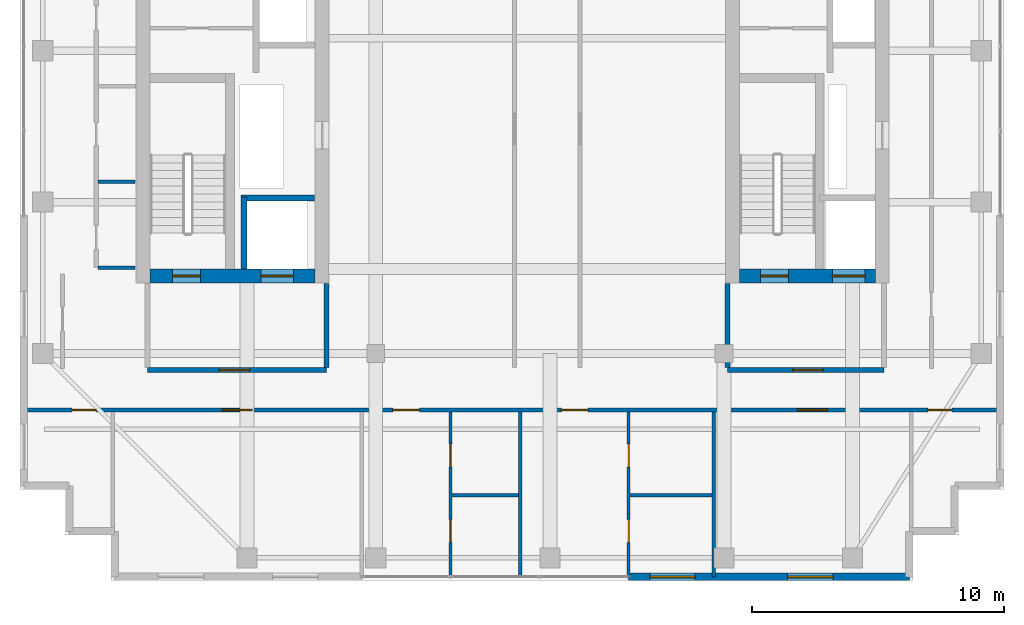
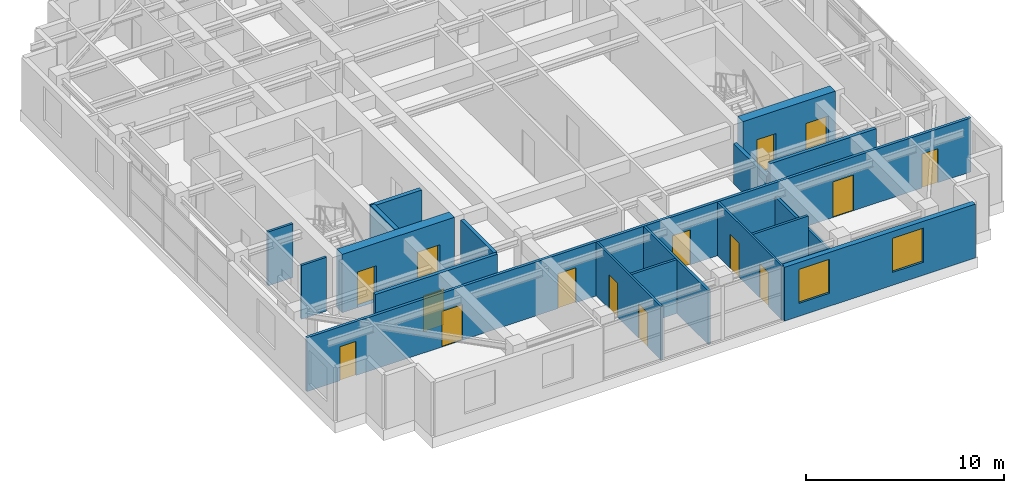
# One storey, part 17 of 21: 18 walls, 16 doors, 2 windows, 18 openings.
"""IFC4 building model written with IfcOpenShell, lengths in metres."""

from ifc_helpers import new_model, si_unit, direction, frame, frame_2d, origin, place, context, subcontext, project, spatial, rectangle, extrude, source, transform, mapped, material, layer, layer_set, type_object, element, fill, save


model = new_model("IFC4")

# Units and contexts
model_context = context("Model", 3, precision=1e-05, world=origin(), true_north=direction((0.0, 1.0)))
body_context = subcontext(model_context, "Body", "Model", "MODEL_VIEW")
ifc_project = project(units=[si_unit("LENGTHUNIT", "METRE"), si_unit("AREAUNIT", "SQUARE_METRE"), si_unit("VOLUMEUNIT", "CUBIC_METRE"), si_unit("PLANEANGLEUNIT", "RADIAN"), si_unit("MASSUNIT", "GRAM", prefix="KILO")], contexts=[model_context])

# Site, building, storey
site_placement = place(None, origin())
site = spatial("IfcSite", under=ifc_project, at=site_placement, CompositionType="ELEMENT")
building_placement = place(site_placement, origin())
building = spatial("IfcBuilding", under=site, at=building_placement, Name="Khoralis Quay Care Tower", CompositionType="ELEMENT")
storey_placement = place(building_placement, frame((0.0, 0.0, 267.300048828125)))
storey = spatial("IfcBuildingStorey", under=building, at=storey_placement, Name="L70", CompositionType="ELEMENT", Elevation=267.300048828125)

# Wall, opening, door
ifc_material_1 = material(Name="Gypsum plasterboard on acoustic metal stud")
ifc_layer_1 = layer(ifc_material_1, 0.199951171875)
ifc_layer_set_1 = layer_set([ifc_layer_1], Name="Gypsum plasterboard on acoustic metal stud")
wall_type_1 = type_object("IfcWallType", Name="WL-COMP-200", PredefinedType="PARTITIONING", material=ifc_layer_set_1)
wall_1_placement = place(storey_placement, frame((8.050048828125, 11.35009765625, 0.0), z_axis=(0.0, 0.0, 1.0), x_axis=(1.0, 0.0, 0.0)))
wall_1 = element("IfcWall", 1, at=wall_1_placement, inside=storey, type_object=wall_type_1, Name="L70 West Firefighting Lobby South Wall", PredefinedType="PARTITIONING", context=body_context, shape_type="SweptSolid", body=[
    extrude(rectangle(XDim=7.099853515625, YDim=0.199951171875, at=frame_2d((3.5498046875, 0.0))), origin(), (0.0, 0.0, 1.0), 3.320068359375),
])
opening_1_placement = place(wall_1_placement, frame((2.846435546875, 0.0, 0.0)))
opening_1 = element("IfcOpeningElement", 2, at=opening_1_placement, cuts=wall_1, Name="Opening FD1", PredefinedType="OPENING", context=body_context, shape_type="SweptSolid", body=[
    extrude(rectangle(XDim=1.199951171875, YDim=2.199951171875, at=frame_2d((0.60009765625, 1.10009765625))), frame((0.0, 0.10986328125, 0.0), z_axis=(0.0, -1.0, 0.0), x_axis=(1.0, 0.0, 0.0)), (0.0, 0.0, 1.0), 0.219970703125),
])
ifc_material_2 = material(Name="Fire-rated painted steel", Category="steel")
door_type_1 = type_object("IfcDoorType", Name="DR-FFL-1200X2200", OperationType="NOTDEFINED", PredefinedType="DOOR", material=ifc_material_2)
shared_shape_1 = source(origin(), body_context, "Body", "SweptSolid", [
    extrude(rectangle(XDim=1.199951171875, YDim=2.199951171875, at=frame_2d((0.60009765625, 1.10009765625))), frame((0.0, 0.02490234375, 0.0), z_axis=(0.0, -1.0, 0.0), x_axis=(1.0, 0.0, 0.0)), (0.0, 0.0, 1.0), 0.050048828125),
])
door_1_placement = place(opening_1_placement, origin())
door_1 = element("IfcDoor", 3, at=door_1_placement, inside=storey, type_object=door_type_1, Name="L70 West Firefighting Lobby Fire Door", OperationType="SINGLE_SWING_RIGHT", OverallHeight=2.199951171875, OverallWidth=1.199951171875, PredefinedType="DOOR", context=body_context, shape_type="MappedRepresentation", body=[
    mapped(shared_shape_1, transform((0.0, 0.0, 0.0), scale=1.0)),
])
fill(opening_1, door_1)

# Wall
wall_2_placement = place(storey_placement, frame((15.14990234375, 11.445068359375, 0.0), z_axis=(0.0, 0.0, 1.0), x_axis=(0.0, 1.0, 0.0)))
element("IfcWall", 4, at=wall_2_placement, inside=storey, type_object=wall_type_1, Name="L70 West Firefighting Lobby East Wall", PredefinedType="PARTITIONING", context=body_context, shape_type="SweptSolid", body=[
    extrude(rectangle(XDim=3.3349609375, YDim=0.199951171875, at=frame_2d((1.66748046875, 0.0))), origin(), (0.0, 0.0, 1.0), 3.320068359375),
])

# Wall, opening, door
wall_3_placement = place(storey_placement, frame((31.050048828125, 11.35009765625, 0.0), z_axis=(0.0, 0.0, 1.0), x_axis=(1.0, 0.0, 0.0)))
wall_3 = element("IfcWall", 5, at=wall_3_placement, inside=storey, type_object=wall_type_1, Name="L70 East Firefighting Lobby South Wall", PredefinedType="PARTITIONING", context=body_context, shape_type="SweptSolid", body=[
    extrude(rectangle(XDim=6.199951171875, YDim=0.199951171875, at=frame_2d((3.10009765625, 0.0))), origin(), (0.0, 0.0, 1.0), 3.320068359375),
])
opening_2_placement = place(wall_3_placement, frame((2.585693359375, 0.0, 0.0)))
opening_2 = element("IfcOpeningElement", 6, at=opening_2_placement, cuts=wall_3, Name="Opening FD1", PredefinedType="OPENING", context=body_context, shape_type="SweptSolid", body=[
    extrude(rectangle(XDim=1.199951171875, YDim=2.199951171875, at=frame_2d((0.60009765625, 1.10009765625))), frame((0.0, 0.10986328125, 0.0), z_axis=(0.0, -1.0, 0.0), x_axis=(1.0, 0.0, 0.0)), (0.0, 0.0, 1.0), 0.219970703125),
])
door_2_placement = place(opening_2_placement, origin())
door_2 = element("IfcDoor", 7, at=door_2_placement, inside=storey, type_object=door_type_1, Name="L70 East Firefighting Lobby Fire Door", OperationType="SINGLE_SWING_LEFT", OverallHeight=2.199951171875, OverallWidth=1.199951171875, PredefinedType="DOOR", context=body_context, shape_type="MappedRepresentation", body=[
    mapped(shared_shape_1, transform((0.0, 0.0, 0.0), scale=1.0)),
])
fill(opening_2, door_2)

# Wall
wall_4_placement = place(storey_placement, frame((31.050048828125, 11.445068359375, 0.0), z_axis=(0.0, 0.0, 1.0), x_axis=(0.0, 1.0, 0.0)))
element("IfcWall", 8, at=wall_4_placement, inside=storey, type_object=wall_type_1, Name="L70 East Firefighting Lobby West Wall", PredefinedType="PARTITIONING", context=body_context, shape_type="SweptSolid", body=[
    extrude(rectangle(XDim=3.3349609375, YDim=0.199951171875, at=frame_2d((1.66748046875, 0.0))), origin(), (0.0, 0.0, 1.0), 2.469970703125),
])

# Wall, openings, doors
ifc_material_3 = material(Name="Concrete C65/80", Category="concrete")
ifc_layer_2 = layer(ifc_material_3, 0.550048828125)
ifc_layer_set_2 = layer_set([ifc_layer_2], Name="Concrete C65/80")
wall_type_2 = type_object("IfcWallType", Name="WL-CORE-550", PredefinedType="SHEAR", material=ifc_layer_set_2)
wall_5_placement = place(storey_placement, frame((8.14990234375, 15.074951171875, 0.0), z_axis=(0.0, 0.0, 1.0), x_axis=(1.0, 0.0, 0.0)))
wall_5 = element("IfcWall", 9, at=wall_5_placement, inside=storey, type_object=wall_type_2, Name="L70 WCORE South Shear Wall", PredefinedType="SHEAR", context=body_context, shape_type="SweptSolid", body=[
    extrude(rectangle(XDim=6.550048828125, YDim=0.550048828125, at=frame_2d((3.27490234375, 0.0))), origin(), (0.0, 0.0, 1.0), 3.599853515625),
])
opening_3_placement = place(wall_5_placement, frame((0.89990234375, 0.0, 0.0)))
opening_3 = element("IfcOpeningElement", 10, at=opening_3_placement, cuts=wall_5, Name="Opening SD1", PredefinedType="OPENING", context=body_context, shape_type="SweptSolid", body=[
    extrude(rectangle(XDim=1.10009765625, YDim=2.199951171875, at=frame_2d((0.550048828125, 1.10009765625))), frame((0.0, 0.28515625, 0.0), z_axis=(0.0, -1.0, 0.0), x_axis=(1.0, 0.0, 0.0)), (0.0, 0.0, 1.0), 0.570068359375),
])
opening_4_placement = place(wall_5_placement, frame((4.39990234375, 0.0, 0.0)))
opening_4 = element("IfcOpeningElement", 11, at=opening_4_placement, cuts=wall_5, Name="Opening LD2", PredefinedType="OPENING", context=body_context, shape_type="SweptSolid", body=[
    extrude(rectangle(XDim=1.300048828125, YDim=2.199951171875, at=frame_2d((0.64990234375, 1.10009765625))), frame((0.0, 0.28515625, 0.0), z_axis=(0.0, -1.0, 0.0), x_axis=(1.0, 0.0, 0.0)), (0.0, 0.0, 1.0), 0.570068359375),
])
door_type_2 = type_object("IfcDoorType", Name="DR-STAIR-1100X2200", OperationType="NOTDEFINED", PredefinedType="DOOR", material=ifc_material_2)
shared_shape_2 = source(origin(), body_context, "Body", "SweptSolid", [
    extrude(rectangle(XDim=1.10009765625, YDim=2.199951171875, at=frame_2d((0.550048828125, 1.10009765625))), frame((0.0, 0.02490234375, 0.0), z_axis=(0.0, -1.0, 0.0), x_axis=(1.0, 0.0, 0.0)), (0.0, 0.0, 1.0), 0.050048828125),
])
door_3_placement = place(opening_3_placement, origin())
door_3 = element("IfcDoor", 12, at=door_3_placement, inside=storey, type_object=door_type_2, Name="L70 Stair ST-T1 Fire Door", OperationType="SINGLE_SWING_RIGHT", OverallHeight=2.199951171875, OverallWidth=1.10009765625, PredefinedType="DOOR", context=body_context, shape_type="MappedRepresentation", body=[
    mapped(shared_shape_2, transform((0.0, 0.0, 0.0), scale=1.0)),
])
fill(opening_3, door_3)
ifc_material_4 = material(Name="Brushed stainless steel", Category="steel")
door_type_3 = type_object("IfcDoorType", Name="DR-LIFT-1300X2200", OperationType="SLIDING_TO_RIGHT", PredefinedType="DOOR", material=ifc_material_4)
shared_shape_3 = source(origin(), body_context, "Body", "SweptSolid", [
    extrude(rectangle(XDim=1.300048828125, YDim=2.199951171875, at=frame_2d((0.64990234375, 1.10009765625))), frame((0.0, 0.02490234375, 0.0), z_axis=(0.0, -1.0, 0.0), x_axis=(1.0, 0.0, 0.0)), (0.0, 0.0, 1.0), 0.050048828125),
])
door_4_placement = place(opening_4_placement, origin())
door_4 = element("IfcDoor", 13, at=door_4_placement, inside=storey, type_object=door_type_3, Name="L70 Firefighting Lift FFL-1 Landing Door", OperationType="SLIDING_TO_RIGHT", OverallHeight=2.199951171875, OverallWidth=1.300048828125, PredefinedType="DOOR", context=body_context, shape_type="MappedRepresentation", body=[
    mapped(shared_shape_3, transform((0.0, 0.0, 0.0), scale=1.0)),
])
fill(opening_4, door_4)

wall_6_placement = place(storey_placement, frame((31.52001953125, 15.074951171875, 0.0), z_axis=(0.0, 0.0, 1.0), x_axis=(1.0, 0.0, 0.0)))
wall_6 = element("IfcWall", 14, at=wall_6_placement, inside=storey, type_object=wall_type_2, Name="L70 ECORE South Shear Wall", PredefinedType="SHEAR", context=body_context, shape_type="SweptSolid", body=[
    extrude(rectangle(XDim=5.3798828125, YDim=0.550048828125, at=frame_2d((2.68994140625, 0.0))), origin(), (0.0, 0.0, 1.0), 3.599853515625),
])
opening_5_placement = place(wall_6_placement, frame((0.830078125, 0.0, 0.0)))
opening_5 = element("IfcOpeningElement", 15, at=opening_5_placement, cuts=wall_6, Name="Opening SD1", PredefinedType="OPENING", context=body_context, shape_type="SweptSolid", body=[
    extrude(rectangle(XDim=1.10009765625, YDim=2.199951171875, at=frame_2d((0.550048828125, 1.10009765625))), frame((0.0, 0.28515625, 0.0), z_axis=(0.0, -1.0, 0.0), x_axis=(1.0, 0.0, 0.0)), (0.0, 0.0, 1.0), 0.570068359375),
])
opening_6_placement = place(wall_6_placement, frame((3.679931640625, 0.0, 0.0)))
opening_6 = element("IfcOpeningElement", 16, at=opening_6_placement, cuts=wall_6, Name="Opening LD2", PredefinedType="OPENING", context=body_context, shape_type="SweptSolid", body=[
    extrude(rectangle(XDim=1.300048828125, YDim=2.199951171875, at=frame_2d((0.64990234375, 1.10009765625))), frame((0.0, 0.28515625, 0.0), z_axis=(0.0, -1.0, 0.0), x_axis=(1.0, 0.0, 0.0)), (0.0, 0.0, 1.0), 0.570068359375),
])
door_5_placement = place(opening_5_placement, origin())
door_5 = element("IfcDoor", 17, at=door_5_placement, inside=storey, type_object=door_type_2, Name="L70 Stair ST-T2 Fire Door", OperationType="SINGLE_SWING_LEFT", OverallHeight=2.199951171875, OverallWidth=1.10009765625, PredefinedType="DOOR", context=body_context, shape_type="MappedRepresentation", body=[
    mapped(shared_shape_2, transform((0.0, 0.0, 0.0), scale=1.0)),
])
fill(opening_5, door_5)
door_6_placement = place(opening_6_placement, origin())
door_6 = element("IfcDoor", 18, at=door_6_placement, inside=storey, type_object=door_type_3, Name="L70 Firefighting Lift FFL-2 Landing Door", OperationType="SLIDING_TO_RIGHT", OverallHeight=2.199951171875, OverallWidth=1.300048828125, PredefinedType="DOOR", context=body_context, shape_type="MappedRepresentation", body=[
    mapped(shared_shape_3, transform((0.0, 0.0, 0.0), scale=1.0)),
])
fill(opening_6, door_6)

ifc_layer_3 = layer(ifc_material_1, 0.1650390625)
ifc_layer_set_3 = layer_set([ifc_layer_3], Name="Gypsum plasterboard on acoustic metal stud")
wall_type_3 = type_object("IfcWallType", Name="WL-CORR-165", PredefinedType="PARTITIONING", material=ifc_layer_set_3)
wall_7_placement = place(storey_placement, frame((3.14501953125, 9.760009765625, 0.0), z_axis=(0.0, 0.0, 1.0), x_axis=(1.0, 0.0, 0.0)))
wall_7 = element("IfcWall", 19, at=wall_7_placement, inside=storey, type_object=wall_type_3, Name="L70 South Main Corridor Wall", PredefinedType="PARTITIONING", context=body_context, shape_type="SweptSolid", body=[
    extrude(rectangle(XDim=38.7099609375, YDim=0.1650390625, at=frame_2d((19.35498046875, 0.0))), origin(), (0.0, 0.0, 1.0), 3.320068359375),
])
opening_7_placement = place(wall_7_placement, frame((7.864990234375, 0.0, 0.0)))
opening_7 = element("IfcOpeningElement", 20, at=opening_7_placement, cuts=wall_7, Name="Opening FD1", PredefinedType="OPENING", context=body_context, shape_type="SweptSolid", body=[
    extrude(rectangle(XDim=1.199951171875, YDim=2.199951171875, at=frame_2d((0.60009765625, 1.10009765625))), frame((0.0, 0.092529296875, 0.0), z_axis=(0.0, -1.0, 0.0), x_axis=(1.0, 0.0, 0.0)), (0.0, 0.0, 1.0), 0.18505859375),
])
opening_8_placement = place(wall_7_placement, frame((14.631103515625, 0.0, 0.0)))
opening_8 = element("IfcOpeningElement", 21, at=opening_8_placement, cuts=wall_7, Name="Opening UD1", PredefinedType="OPENING", context=body_context, shape_type="SweptSolid", body=[
    extrude(rectangle(XDim=1.050048828125, YDim=2.14990234375, at=frame_2d((0.52490234375, 1.074951171875))), frame((0.0, 0.092529296875, 0.0), z_axis=(0.0, -1.0, 0.0), x_axis=(1.0, 0.0, 0.0)), (0.0, 0.0, 1.0), 0.18505859375),
])
opening_9_placement = place(wall_7_placement, frame((21.3076171875, 0.0, 0.0)))
opening_9 = element("IfcOpeningElement", 22, at=opening_9_placement, cuts=wall_7, Name="Opening UD1", PredefinedType="OPENING", context=body_context, shape_type="SweptSolid", body=[
    extrude(rectangle(XDim=1.050048828125, YDim=2.14990234375, at=frame_2d((0.52490234375, 1.074951171875))), frame((0.0, 0.092529296875, 0.0), z_axis=(0.0, -1.0, 0.0), x_axis=(1.0, 0.0, 0.0)), (0.0, 0.0, 1.0), 0.18505859375),
])
opening_10_placement = place(wall_7_placement, frame((30.6650390625, 0.0, 0.0)))
opening_10 = element("IfcOpeningElement", 23, at=opening_10_placement, cuts=wall_7, Name="Opening FD1", PredefinedType="OPENING", context=body_context, shape_type="SweptSolid", body=[
    extrude(rectangle(XDim=1.199951171875, YDim=2.199951171875, at=frame_2d((0.60009765625, 1.10009765625))), frame((0.0, 0.092529296875, 0.0), z_axis=(0.0, -1.0, 0.0), x_axis=(1.0, 0.0, 0.0)), (0.0, 0.0, 1.0), 0.18505859375),
])
opening_11_placement = place(wall_7_placement, frame((1.919921875, 0.0, 0.0)))
opening_11 = element("IfcOpeningElement", 24, at=opening_11_placement, cuts=wall_7, Name="Opening ID1", PredefinedType="OPENING", context=body_context, shape_type="SweptSolid", body=[
    extrude(rectangle(XDim=0.949951171875, YDim=2.10009765625, at=frame_2d((0.47509765625, 1.050048828125))), frame((0.0, 0.092529296875, 0.0), z_axis=(0.0, -1.0, 0.0), x_axis=(1.0, 0.0, 0.0)), (0.0, 0.0, 1.0), 0.18505859375),
])
opening_12_placement = place(wall_7_placement, frame((35.840087890625, 0.0, 0.0)))
opening_12 = element("IfcOpeningElement", 25, at=opening_12_placement, cuts=wall_7, Name="Opening ID1", PredefinedType="OPENING", context=body_context, shape_type="SweptSolid", body=[
    extrude(rectangle(XDim=0.949951171875, YDim=2.10009765625, at=frame_2d((0.47509765625, 1.050048828125))), frame((0.0, 0.092529296875, 0.0), z_axis=(0.0, -1.0, 0.0), x_axis=(1.0, 0.0, 0.0)), (0.0, 0.0, 1.0), 0.18505859375),
])
door_7_placement = place(opening_7_placement, frame((1.199951171875, 0.0, 0.0), z_axis=(0.0, 0.0, 1.0), x_axis=(-1.0, 0.0, 0.0)))
door_7 = element("IfcDoor", 26, at=door_7_placement, inside=storey, type_object=door_type_1, Name="L70 Resident Communal Day Lounge Door", OperationType="DOUBLE_DOOR_SINGLE_SWING", OverallHeight=2.199951171875, OverallWidth=1.199951171875, PredefinedType="DOOR", context=body_context, shape_type="MappedRepresentation", body=[
    mapped(shared_shape_1, transform((0.0, 0.0, 0.0), scale=1.0)),
])
fill(opening_7, door_7)
door_8_placement = place(opening_10_placement, frame((1.199951171875, 0.0, 0.0), z_axis=(0.0, 0.0, 1.0), x_axis=(-1.0, 0.0, 0.0)))
door_8 = element("IfcDoor", 27, at=door_8_placement, inside=storey, type_object=door_type_1, Name="L70 Senior Wellness Pharmacy Shop Door", OperationType="DOUBLE_DOOR_SINGLE_SWING", OverallHeight=2.199951171875, OverallWidth=1.199951171875, PredefinedType="DOOR", context=body_context, shape_type="MappedRepresentation", body=[
    mapped(shared_shape_1, transform((0.0, 0.0, 0.0), scale=1.0)),
])
fill(opening_10, door_8)
ifc_material_5 = material(Name="Acoustic hardwood timber", Category="wood")
door_type_4 = type_object("IfcDoorType", Name="DR-ROOM-950X2100", OperationType="NOTDEFINED", PredefinedType="DOOR", material=ifc_material_5)
shared_shape_4 = source(origin(), body_context, "Body", "SweptSolid", [
    extrude(rectangle(XDim=0.949951171875, YDim=2.10009765625, at=frame_2d((0.47509765625, 1.050048828125))), frame((0.0, 0.02490234375, 0.0), z_axis=(0.0, -1.0, 0.0), x_axis=(1.0, 0.0, 0.0)), (0.0, 0.0, 1.0), 0.050048828125),
])
door_9_placement = place(opening_11_placement, frame((0.949951171875, 0.0, 0.0), z_axis=(0.0, 0.0, 1.0), x_axis=(-1.0, 0.0, 0.0)))
door_9 = element("IfcDoor", 28, at=door_9_placement, inside=storey, type_object=door_type_4, Name="L70 SW Corner Door", OperationType="SINGLE_SWING_LEFT", OverallHeight=2.10009765625, OverallWidth=0.949951171875, PredefinedType="DOOR", context=body_context, shape_type="MappedRepresentation", body=[
    mapped(shared_shape_4, transform((0.0, 0.0, 0.0), scale=1.0)),
])
fill(opening_11, door_9)
door_10_placement = place(opening_12_placement, frame((0.949951171875, 0.0, 0.0), z_axis=(0.0, 0.0, 1.0), x_axis=(-1.0, 0.0, 0.0)))
door_10 = element("IfcDoor", 29, at=door_10_placement, inside=storey, type_object=door_type_4, Name="L70 SE Corner Door", OperationType="SINGLE_SWING_RIGHT", OverallHeight=2.10009765625, OverallWidth=0.949951171875, PredefinedType="DOOR", context=body_context, shape_type="MappedRepresentation", body=[
    mapped(shared_shape_4, transform((0.0, 0.0, 0.0), scale=1.0)),
])
fill(opening_12, door_10)
door_type_5 = type_object("IfcDoorType", Name="DR-SUITE-1050X2150", OperationType="NOTDEFINED", PredefinedType="DOOR", material=ifc_material_5)
shared_shape_5 = source(origin(), body_context, "Body", "SweptSolid", [
    extrude(rectangle(XDim=1.050048828125, YDim=2.14990234375, at=frame_2d((0.52490234375, 1.074951171875))), frame((0.0, 0.02490234375, 0.0), z_axis=(0.0, -1.0, 0.0), x_axis=(1.0, 0.0, 0.0)), (0.0, 0.0, 1.0), 0.050048828125),
])
door_11_placement = place(opening_8_placement, frame((1.050048828125, 0.0, 0.0), z_axis=(0.0, 0.0, 1.0), x_axis=(-1.0, 0.0, 0.0)))
door_11 = element("IfcDoor", 30, at=door_11_placement, inside=storey, type_object=door_type_5, Name="L70 Studio SB1 Entrance", OperationType="SINGLE_SWING_LEFT", OverallHeight=2.14990234375, OverallWidth=1.050048828125, PredefinedType="DOOR", context=body_context, shape_type="MappedRepresentation", body=[
    mapped(shared_shape_5, transform((0.0, 0.0, 0.0), scale=1.0)),
])
fill(opening_8, door_11)
door_12_placement = place(opening_9_placement, frame((1.050048828125, 0.0, 0.0), z_axis=(0.0, 0.0, 1.0), x_axis=(-1.0, 0.0, 0.0)))
door_12 = element("IfcDoor", 31, at=door_12_placement, inside=storey, type_object=door_type_5, Name="L70 Studio SB2 Entrance", OperationType="SINGLE_SWING_RIGHT", OverallHeight=2.14990234375, OverallWidth=1.050048828125, PredefinedType="DOOR", context=body_context, shape_type="MappedRepresentation", body=[
    mapped(shared_shape_5, transform((0.0, 0.0, 0.0), scale=1.0)),
])
fill(opening_9, door_12)

# Wall, openings, windows
ifc_material_6 = material(Name="Precast concrete C45/55", Category="concrete")
ifc_layer_4 = layer(ifc_material_6, 0.300048828125)
ifc_layer_set_4 = layer_set([ifc_layer_4], Name="Precast concrete C45/55")
wall_type_4 = type_object("IfcWallType", Name="WL-EXT-REF-300", PredefinedType="SOLIDWALL", material=ifc_layer_set_4)
wall_8_placement = place(storey_placement, frame((27.125, 3.14990234375, 0.0), z_axis=(0.0, 0.0, 1.0), x_axis=(1.0, 0.0, 0.0)))
wall_8 = element("IfcWall", 32, at=wall_8_placement, inside=storey, type_object=wall_type_4, Name="L70 External Facade Wall WL-EXT-L70-P1-E0B", PredefinedType="SOLIDWALL", context=body_context, shape_type="SweptSolid", body=[
    extrude(rectangle(XDim=11.125, YDim=0.300048828125, at=frame_2d((5.5625, 0.0))), origin(), (0.0, 0.0, 1.0), 3.320068359375),
])
opening_13_placement = place(wall_8_placement, frame((0.83740234375, 0.0, 0.800048828125)))
opening_13 = element("IfcOpeningElement", 33, at=opening_13_placement, cuts=wall_8, Name="Opening W2", PredefinedType="OPENING", context=body_context, shape_type="SweptSolid", body=[
    extrude(rectangle(XDim=1.800048828125, YDim=2.10009765625, at=frame_2d((0.89990234375, 1.050048828125))), frame((0.0, 0.16015625, 0.0), z_axis=(0.0, -1.0, 0.0), x_axis=(1.0, 0.0, 0.0)), (0.0, 0.0, 1.0), 0.320068359375),
])
opening_14_placement = place(wall_8_placement, frame((6.300048828125, 0.0, 0.800048828125)))
opening_14 = element("IfcOpeningElement", 34, at=opening_14_placement, cuts=wall_8, Name="Opening W2", PredefinedType="OPENING", context=body_context, shape_type="SweptSolid", body=[
    extrude(rectangle(XDim=1.800048828125, YDim=2.10009765625, at=frame_2d((0.89990234375, 1.050048828125))), frame((0.0, 0.16015625, 0.0), z_axis=(0.0, -1.0, 0.0), x_axis=(1.0, 0.0, 0.0)), (0.0, 0.0, 1.0), 0.320068359375),
])
ifc_material_7 = material(Name="Low-E solar-control double glazing", Category="glass")
window_type = type_object("IfcWindowType", Name="WN-POD-1800X2100", PartitioningType="SINGLE_PANEL", PredefinedType="WINDOW", material=ifc_material_7)
shared_shape_6 = source(origin(), body_context, "Body", "SweptSolid", [
    extrude(rectangle(XDim=1.800048828125, YDim=2.10009765625, at=frame_2d((0.89990234375, 1.050048828125))), frame((0.0, 0.030029296875, 0.0), z_axis=(0.0, -1.0, 0.0), x_axis=(1.0, 0.0, 0.0)), (0.0, 0.0, 1.0), 0.06005859375),
])
window_1_placement = place(opening_13_placement, origin())
window_1 = element("IfcWindow", 35, at=window_1_placement, inside=storey, type_object=window_type, Name="WN-L70-P1-E0B Facade Window 01", OverallHeight=2.10009765625, OverallWidth=1.800048828125, PartitioningType="SINGLE_PANEL", PredefinedType="WINDOW", context=body_context, shape_type="MappedRepresentation", body=[
    mapped(shared_shape_6, transform((0.0, 0.0, 0.0), scale=1.0)),
])
fill(opening_13, window_1)
window_2_placement = place(opening_14_placement, origin())
window_2 = element("IfcWindow", 36, at=window_2_placement, inside=storey, type_object=window_type, Name="WN-L70-P1-E0B Facade Window 02", OverallHeight=2.10009765625, OverallWidth=1.800048828125, PartitioningType="SINGLE_PANEL", PredefinedType="WINDOW", context=body_context, shape_type="MappedRepresentation", body=[
    mapped(shared_shape_6, transform((0.0, 0.0, 0.0), scale=1.0)),
])
fill(opening_14, window_2)

# Wall, openings, doors
ifc_layer_5 = layer(ifc_material_1, 0.114990234375)
ifc_layer_set_5 = layer_set([ifc_layer_5], Name="Gypsum plasterboard on acoustic metal stud")
wall_type_5 = type_object("IfcWallType", Name="WL-PART-115", PredefinedType="PARTITIONING", material=ifc_layer_set_5)
wall_9_placement = place(storey_placement, frame((20.06201171875, 3.14501953125, 0.0), z_axis=(0.0, 0.0, 1.0), x_axis=(0.0, 1.0, 0.0)))
wall_9 = element("IfcWall", 37, at=wall_9_placement, inside=storey, type_object=wall_type_5, Name="L70 Studio 1 Internal Wall", PredefinedType="PARTITIONING", context=body_context, shape_type="SweptSolid", body=[
    extrude(rectangle(XDim=6.53759765625, YDim=0.114990234375, at=frame_2d((3.268798828125, 0.0))), origin(), (0.0, 0.0, 1.0), 3.320068359375),
])
opening_15_placement = place(wall_9_placement, frame((1.3701171875, 0.0, 0.0)))
opening_15 = element("IfcOpeningElement", 38, at=opening_15_placement, cuts=wall_9, Name="Opening WD1", PredefinedType="OPENING", context=body_context, shape_type="SweptSolid", body=[
    extrude(rectangle(XDim=0.89990234375, YDim=2.10009765625, at=frame_2d((0.449951171875, 1.050048828125))), frame((0.0, 0.0673828125, 0.0), z_axis=(0.0, -1.0, 0.0), x_axis=(1.0, 0.0, 0.0)), (0.0, 0.0, 1.0), 0.135009765625),
])
opening_16_placement = place(wall_9_placement, frame((4.360107421875, 0.0, 0.0)))
opening_16 = element("IfcOpeningElement", 39, at=opening_16_placement, cuts=wall_9, Name="Opening WD1", PredefinedType="OPENING", context=body_context, shape_type="SweptSolid", body=[
    extrude(rectangle(XDim=0.89990234375, YDim=2.10009765625, at=frame_2d((0.449951171875, 1.050048828125))), frame((0.0, 0.0673828125, 0.0), z_axis=(0.0, -1.0, 0.0), x_axis=(1.0, 0.0, 0.0)), (0.0, 0.0, 1.0), 0.135009765625),
])
door_type_6 = type_object("IfcDoorType", Name="DR-BATH-900X2100", OperationType="NOTDEFINED", PredefinedType="DOOR", material=ifc_material_5)
shared_shape_7 = source(origin(), body_context, "Body", "SweptSolid", [
    extrude(rectangle(XDim=0.89990234375, YDim=2.10009765625, at=frame_2d((0.449951171875, 1.050048828125))), frame((0.0, 0.02490234375, 0.0), z_axis=(0.0, -1.0, 0.0), x_axis=(1.0, 0.0, 0.0)), (0.0, 0.0, 1.0), 0.050048828125),
])
door_13_placement = place(opening_15_placement, frame((0.89990234375, 0.0, 0.0), z_axis=(0.0, 0.0, 1.0), x_axis=(-1.0, 0.0, 0.0)))
door_13 = element("IfcDoor", 40, at=door_13_placement, inside=storey, type_object=door_type_6, Name="L70 Studio SKT Door", OperationType="SINGLE_SWING_RIGHT", OverallHeight=2.10009765625, OverallWidth=0.89990234375, PredefinedType="DOOR", context=body_context, shape_type="MappedRepresentation", body=[
    mapped(shared_shape_7, transform((0.0, 0.0, 0.0), scale=1.0)),
])
fill(opening_15, door_13)
door_14_placement = place(opening_16_placement, frame((0.89990234375, 0.0, 0.0), z_axis=(0.0, 0.0, 1.0), x_axis=(-1.0, 0.0, 0.0)))
door_14 = element("IfcDoor", 41, at=door_14_placement, inside=storey, type_object=door_type_6, Name="L70 Studio SBH Door", OperationType="SINGLE_SWING_LEFT", OverallHeight=2.10009765625, OverallWidth=0.89990234375, PredefinedType="DOOR", context=body_context, shape_type="MappedRepresentation", body=[
    mapped(shared_shape_7, transform((0.0, 0.0, 0.0), scale=1.0)),
])
fill(opening_16, door_14)

wall_10_placement = place(storey_placement, frame((27.125, 3.14501953125, 0.0), z_axis=(0.0, 0.0, 1.0), x_axis=(0.0, 1.0, 0.0)))
wall_10 = element("IfcWall", 42, at=wall_10_placement, inside=storey, type_object=wall_type_5, Name="L70 Studio 2 Internal Wall", PredefinedType="PARTITIONING", context=body_context, shape_type="SweptSolid", body=[
    extrude(rectangle(XDim=6.53759765625, YDim=0.114990234375, at=frame_2d((3.268798828125, 0.0))), origin(), (0.0, 0.0, 1.0), 3.320068359375),
])
opening_17_placement = place(wall_10_placement, frame((1.3701171875, 0.0, 0.0)))
opening_17 = element("IfcOpeningElement", 43, at=opening_17_placement, cuts=wall_10, Name="Opening WD1", PredefinedType="OPENING", context=body_context, shape_type="SweptSolid", body=[
    extrude(rectangle(XDim=0.89990234375, YDim=2.10009765625, at=frame_2d((0.449951171875, 1.050048828125))), frame((0.0, 0.0673828125, 0.0), z_axis=(0.0, -1.0, 0.0), x_axis=(1.0, 0.0, 0.0)), (0.0, 0.0, 1.0), 0.135009765625),
])
opening_18_placement = place(wall_10_placement, frame((4.360107421875, 0.0, 0.0)))
opening_18 = element("IfcOpeningElement", 44, at=opening_18_placement, cuts=wall_10, Name="Opening WD1", PredefinedType="OPENING", context=body_context, shape_type="SweptSolid", body=[
    extrude(rectangle(XDim=0.89990234375, YDim=2.10009765625, at=frame_2d((0.449951171875, 1.050048828125))), frame((0.0, 0.0673828125, 0.0), z_axis=(0.0, -1.0, 0.0), x_axis=(1.0, 0.0, 0.0)), (0.0, 0.0, 1.0), 0.135009765625),
])
door_15_placement = place(opening_17_placement, frame((0.89990234375, 0.0, 0.0), z_axis=(0.0, 0.0, 1.0), x_axis=(-1.0, 0.0, 0.0)))
door_15 = element("IfcDoor", 45, at=door_15_placement, inside=storey, type_object=door_type_6, Name="L70 Studio SKT Door", OperationType="SINGLE_SWING_LEFT", OverallHeight=2.10009765625, OverallWidth=0.89990234375, PredefinedType="DOOR", context=body_context, shape_type="MappedRepresentation", body=[
    mapped(shared_shape_7, transform((0.0, 0.0, 0.0), scale=1.0)),
])
fill(opening_17, door_15)
door_16_placement = place(opening_18_placement, frame((0.89990234375, 0.0, 0.0), z_axis=(0.0, 0.0, 1.0), x_axis=(-1.0, 0.0, 0.0)))
door_16 = element("IfcDoor", 46, at=door_16_placement, inside=storey, type_object=door_type_6, Name="L70 Studio SBH Door", OperationType="SINGLE_SWING_RIGHT", OverallHeight=2.10009765625, OverallWidth=0.89990234375, PredefinedType="DOOR", context=body_context, shape_type="MappedRepresentation", body=[
    mapped(shared_shape_7, transform((0.0, 0.0, 0.0), scale=1.0)),
])
fill(opening_18, door_16)

# Walls
ifc_material_8 = material(Name="Moisture-resistant gypsum and ceramic tile")
ifc_layer_6 = layer(ifc_material_8, 0.280029296875)
ifc_layer_set_6 = layer_set([ifc_layer_6], Name="Moisture-resistant gypsum and ceramic tile")
wall_type_6 = type_object("IfcWallType", Name="WL-PLUMB-280", PredefinedType="PLUMBINGWALL", material=ifc_layer_set_6)
wall_11_placement = place(storey_placement, frame((6.097412109375, 18.800048828125, 0.0), z_axis=(0.0, 0.0, 1.0), x_axis=(1.0, 0.0, 0.0)))
element("IfcWall", 47, at=wall_11_placement, inside=storey, type_object=wall_type_6, Name="L70 West Flank Divider 1", PredefinedType="PLUMBINGWALL", context=body_context, shape_type="SweptSolid", body=[
    extrude(rectangle(XDim=1.462646484375, YDim=0.139892578125, at=frame_2d((0.7314453125, 0.0))), origin(), (0.0, 0.0, 1.0), 3.320068359375),
])
wall_12_placement = place(storey_placement, frame((20.114501953125, 6.3798828125, 0.0), z_axis=(0.0, 0.0, 1.0), x_axis=(1.0, 0.0, 0.0)))
element("IfcWall", 48, at=wall_12_placement, inside=storey, type_object=wall_type_6, Name="L70 Studio 1 Wet Split", PredefinedType="PLUMBINGWALL", context=body_context, shape_type="SweptSolid", body=[
    extrude(rectangle(XDim=2.650390625, YDim=0.139892578125, at=frame_2d((1.3251953125, 0.0))), origin(), (0.0, 0.0, 1.0), 3.320068359375),
])
wall_13_placement = place(storey_placement, frame((27.177490234375, 6.3798828125, 0.0), z_axis=(0.0, 0.0, 1.0), x_axis=(1.0, 0.0, 0.0)))
element("IfcWall", 49, at=wall_13_placement, inside=storey, type_object=wall_type_6, Name="L70 Studio 2 Wet Split", PredefinedType="PLUMBINGWALL", context=body_context, shape_type="SweptSolid", body=[
    extrude(rectangle(XDim=3.257568359375, YDim=0.139892578125, at=frame_2d((1.62890625, 0.0))), origin(), (0.0, 0.0, 1.0), 3.320068359375),
])
ifc_layer_7 = layer(ifc_material_1, 0.239990234375)
ifc_layer_set_7 = layer_set([ifc_layer_7], Name="Gypsum plasterboard on acoustic metal stud")
wall_type_7 = type_object("IfcWallType", Name="WL-SHAFT-240", PredefinedType="PARTITIONING", material=ifc_layer_set_7)
wall_14_placement = place(storey_placement, frame((11.8798828125, 15.35009765625, 0.0), z_axis=(0.0, 0.0, 1.0), x_axis=(0.0, 1.0, 0.0)))
element("IfcWall", 50, at=wall_14_placement, inside=storey, type_object=wall_type_7, Name="L70 FFL-1 Shaft Wall West", PredefinedType="PARTITIONING", context=body_context, shape_type="SweptSolid", body=[
    extrude(rectangle(XDim=2.849853515625, YDim=0.239990234375, at=frame_2d((1.4248046875, 0.0))), origin(), (0.0, 0.0, 1.0), 3.320068359375),
])
wall_15_placement = place(storey_placement, frame((11.760009765625, 18.169921875, 0.0), z_axis=(0.0, 0.0, 1.0), x_axis=(1.0, 0.0, 0.0)))
element("IfcWall", 51, at=wall_15_placement, inside=storey, type_object=wall_type_7, Name="L70 FFL-1 Shaft Wall North", PredefinedType="PARTITIONING", context=body_context, shape_type="SweptSolid", body=[
    extrude(rectangle(XDim=2.919921875, YDim=0.239990234375, at=frame_2d((1.4599609375, 0.0))), origin(), (0.0, 0.0, 1.0), 3.320068359375),
])
ifc_layer_8 = layer(ifc_material_1, 0.139892578125)
ifc_layer_set_8 = layer_set([ifc_layer_8], Name="Gypsum plasterboard on acoustic metal stud")
wall_type_8 = type_object("IfcWallType", Name="WL-UNIT-140", PredefinedType="PARTITIONING", material=ifc_layer_set_8)
wall_16_placement = place(storey_placement, frame((6.097412109375, 15.39990234375, 0.0), z_axis=(0.0, 0.0, 1.0), x_axis=(1.0, 0.0, 0.0)))
element("IfcWall", 52, at=wall_16_placement, inside=storey, type_object=wall_type_8, Name="L70 West Flank South Cap", PredefinedType="PARTITIONING", context=body_context, shape_type="SweptSolid", body=[
    extrude(rectangle(XDim=1.462646484375, YDim=0.139892578125, at=frame_2d((0.7314453125, 0.0))), origin(), (0.0, 0.0, 1.0), 3.320068359375),
])
wall_17_placement = place(storey_placement, frame((22.830078125, 3.14501953125, 0.0), z_axis=(0.0, 0.0, 1.0), x_axis=(0.0, 1.0, 0.0)))
element("IfcWall", 53, at=wall_17_placement, inside=storey, type_object=wall_type_8, Name="L70 SB Demising Wall 2", PredefinedType="PARTITIONING", context=body_context, shape_type="SweptSolid", body=[
    extrude(rectangle(XDim=6.53759765625, YDim=0.139892578125, at=frame_2d((3.268798828125, 0.0))), origin(), (0.0, 0.0, 1.0), 3.320068359375),
])
wall_18_placement = place(storey_placement, frame((30.5, 3.14501953125, 0.0), z_axis=(0.0, 0.0, 1.0), x_axis=(0.0, 1.0, 0.0)))
element("IfcWall", 54, at=wall_18_placement, inside=storey, type_object=wall_type_8, Name="L70 SB Demising Wall 3", PredefinedType="PARTITIONING", context=body_context, shape_type="SweptSolid", body=[
    extrude(rectangle(XDim=6.53759765625, YDim=0.139892578125, at=frame_2d((3.268798828125, 0.0))), origin(), (0.0, 0.0, 1.0), 2.469970703125),
])

save(model, "model.ifc")
